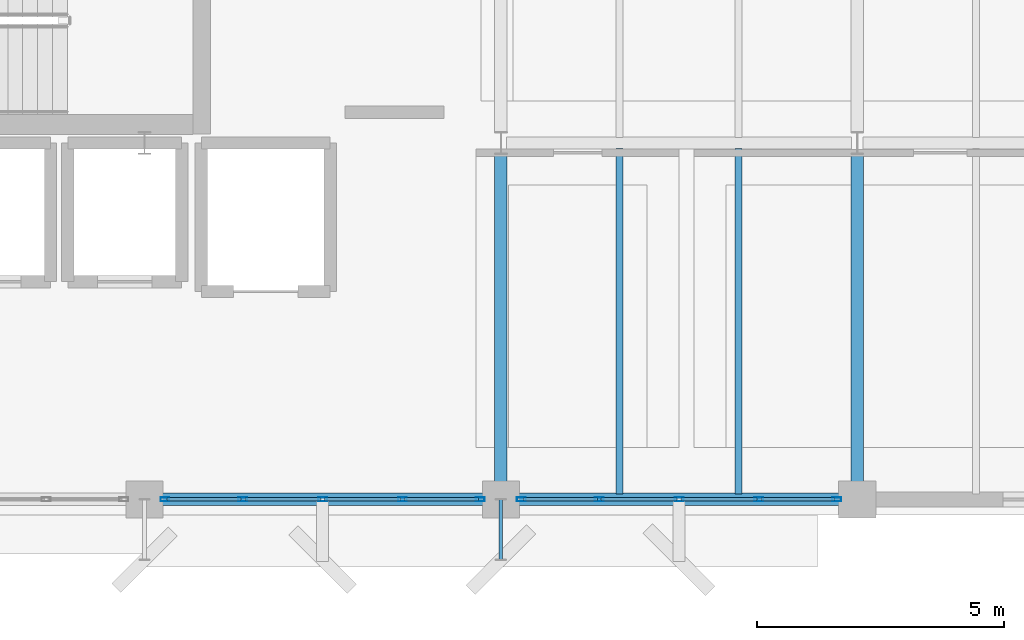
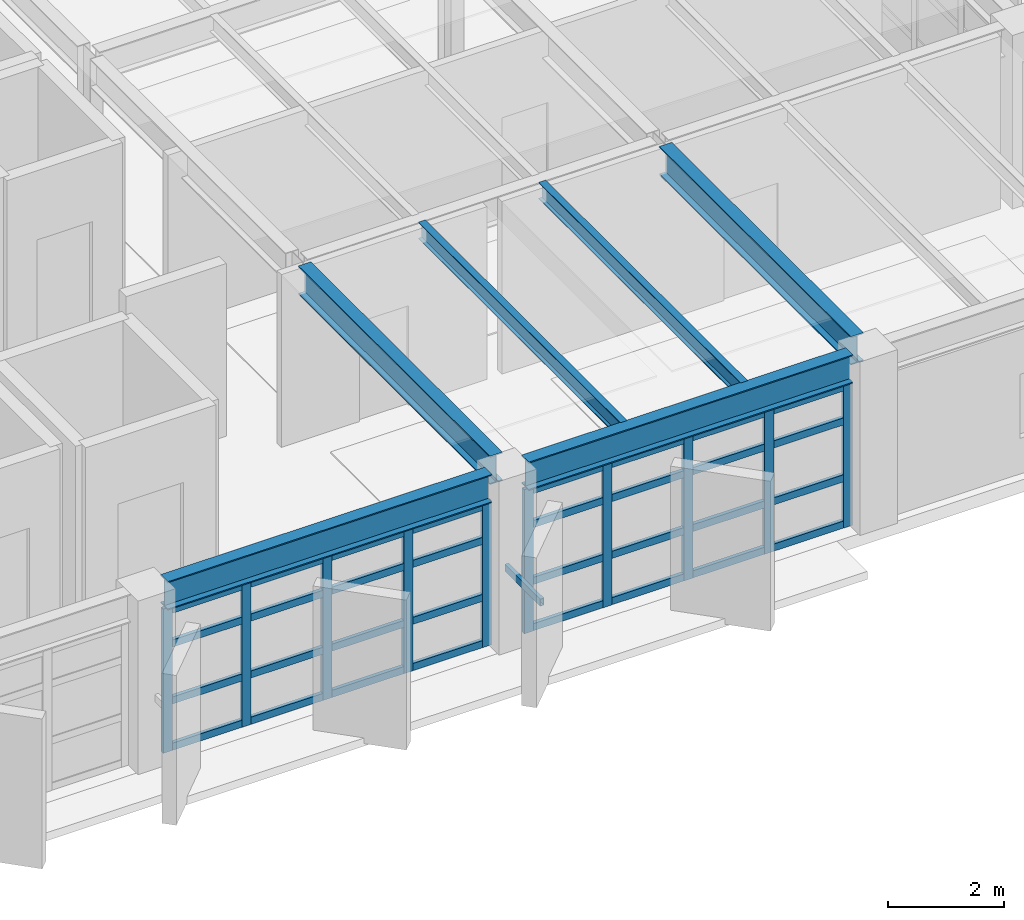
# One storey, part 6 of 32: 43 members, 6 beams, 2 elements without a shape of their own.
"""IFC4 building model written with IfcOpenShell, lengths in metres."""

from ifc_helpers import new_model, si_unit, direction, frame, origin, origin_2d, place, context, subcontext, project, spatial, hollow_rectangle, i_section, extrude, material, layer, layer_set, material_profile, profile_set, type_object, element, aggregate, save


model = new_model("IFC4")

# Units and contexts
model_context = context("Model", 3, precision=1e-05, world=origin(), true_north=direction((0.0, 1.0)))
body_context = subcontext(model_context, "Body", "Model", "MODEL_VIEW")
ifc_project = project(units=[si_unit("LENGTHUNIT", "METRE"), si_unit("AREAUNIT", "SQUARE_METRE"), si_unit("VOLUMEUNIT", "CUBIC_METRE"), si_unit("PLANEANGLEUNIT", "RADIAN"), si_unit("MASSUNIT", "GRAM", prefix="KILO")], contexts=[model_context])

# Site, building, storey
site_placement = place(None, origin())
site = spatial("IfcSite", under=ifc_project, at=site_placement, CompositionType="ELEMENT")
building_placement = place(site_placement, origin())
building = spatial("IfcBuilding", under=site, at=building_placement, Name="Kandorven Conservatory and Botanical Research Centre", CompositionType="ELEMENT")
storey_placement = place(building_placement, frame((0.0, 0.0, 17.10009765625)))
storey = spatial("IfcBuildingStorey", under=building, at=storey_placement, Name="L04", CompositionType="ELEMENT", Elevation=17.10009765625)

# Beams
ifc_material_1 = material(Name="Steel S355 (IS 2062 E350)", Category="steel")
ifc_material_profile_1 = material_profile(ifc_material_1, i_section(OverallWidth=0.25, OverallDepth=0.60009765625, WebThickness=0.01171875, FlangeThickness=0.023681640625, at=origin_2d()))
ifc_profile_set_1 = profile_set([ifc_material_profile_1], Name="Steel S355 (IS 2062 E350)")
beam_type_1 = type_object("IfcBeamType", Name="Beam_FG-01", PredefinedType="USERDEFINED", material=ifc_profile_set_1)
beam_1_placement = place(storey_placement, frame((20.764892578125, 6.0, 3.35986328125), z_axis=(1.0, 0.0, 0.0), x_axis=(0.0, 1.0, 0.0)))
element("IfcBeam", 1, at=beam_1_placement, inside=storey, type_object=beam_type_1, Name="Primary girder FG-01 TWR L04", ObjectType="GIRDER", PredefinedType="USERDEFINED", context=body_context, shape_type="SweptSolid", body=[
    extrude(i_section(OverallWidth=0.25, OverallDepth=0.60009765625, WebThickness=0.01171875, FlangeThickness=0.023681640625, at=origin_2d()), origin(), (0.0, 0.0, 1.0), 6.47021484375),
])
beam_2_placement = place(storey_placement, frame((27.965087890625, 6.0, 3.35986328125), z_axis=(1.0, 0.0, 0.0), x_axis=(0.0, 1.0, 0.0)))
element("IfcBeam", 2, at=beam_2_placement, inside=storey, type_object=beam_type_1, Name="Primary girder FG-01 TWR L04", ObjectType="GIRDER", PredefinedType="USERDEFINED", context=body_context, shape_type="SweptSolid", body=[
    extrude(i_section(OverallWidth=0.25, OverallDepth=0.60009765625, WebThickness=0.01171875, FlangeThickness=0.023681640625, at=origin_2d()), origin(), (0.0, 0.0, 1.0), 6.469970703125),
])
for number, where, z_axis, x_axis, name in (
    (3, (27.60009765625, 6.364990234375, 3.35986328125), (0.0, 1.0, 0.0), (-1.0, 0.0, 0.0), "Primary girder FG-01 TWR L04"),
    (4, (34.800048828125, 6.364990234375, 3.35986328125), (0.0, 1.0, 0.0), (-1.0, 0.0, 0.0), "Primary girder FG-01 TWR L04"),
):
    element("IfcBeam", number, at=place(storey_placement, frame(where, z_axis=z_axis, x_axis=x_axis)), inside=storey, type_object=beam_type_1, Name=name, ObjectType="GIRDER", PredefinedType="USERDEFINED", context=body_context, shape_type="SweptSolid", body=[
        extrude(i_section(OverallWidth=0.25, OverallDepth=0.60009765625, WebThickness=0.01171875, FlangeThickness=0.023681640625, at=origin_2d()), origin(), (0.0, 0.0, 1.0), 6.6201171875),
    ])
ifc_material_2 = material(Name="Steel S355 (IS 2062 E350)", Category="steel")
ifc_material_profile_2 = material_profile(ifc_material_2, i_section(OverallWidth=0.139892578125, OverallDepth=0.35009765625, WebThickness=0.008056640625, FlangeThickness=0.01416015625, at=origin_2d()))
ifc_profile_set_2 = profile_set([ifc_material_profile_2], Name="Steel S355 (IS 2062 E350)")
beam_type_2 = type_object("IfcBeamType", Name="Beam_SB-06", PredefinedType="BEAM", material=ifc_profile_set_2)
for number, where, z_axis, x_axis, name in (
    (5, (30.0, 6.110107421875, 3.48486328125), (0.0, 1.0, 0.0), (-1.0, 0.0, 0.0), "Composite secondary beam SB-06 TWR L04"),
    (6, (32.39990234375, 6.110107421875, 3.48486328125), (0.0, 1.0, 0.0), (-1.0, 0.0, 0.0), "Composite secondary beam SB-06 TWR L04"),
):
    element("IfcBeam", number, at=place(storey_placement, frame(where, z_axis=z_axis, x_axis=x_axis)), inside=storey, type_object=beam_type_2, Name=name, PredefinedType="BEAM", context=body_context, shape_type="SweptSolid", body=[
        extrude(i_section(OverallWidth=0.139892578125, OverallDepth=0.35009765625, WebThickness=0.008056640625, FlangeThickness=0.01416015625, at=origin_2d()), origin(), (0.0, 0.0, 1.0), 6.97998046875),
    ])

# Curtain wall, members
ifc_material_3 = material(Name="Bronze anodised thermally broken aluminium", Category="aluminium")
ifc_layer = layer(ifc_material_3, 0.179931640625)
ifc_layer_set = layer_set([ifc_layer], Name="Bronze anodised thermally broken aluminium")
curtain_wall_type = type_object("IfcCurtainWallType", Name="CW_Unitised", PredefinedType="USERDEFINED", material=ifc_layer_set)
curtain_wall_1_placement = place(storey_placement, origin())
curtain_wall_1 = element("IfcCurtainWall", 7, at=curtain_wall_1_placement, inside=storey, type_object=curtain_wall_type, Name="Tower laboratory curtain wall CW-TWR-S-L04-3", ObjectType="UNITISED GLAZING", PredefinedType="USERDEFINED")
ifc_material_4 = material(Name="Bronze anodised thermally broken aluminium", Category="aluminium")
ifc_material_profile_3 = material_profile(ifc_material_4, hollow_rectangle(XDim=0.080078125, YDim=0.179931640625, WallThickness=0.006103515625, at=origin_2d()))
ifc_profile_set_3 = profile_set([ifc_material_profile_3], Name="Bronze anodised thermally broken aluminium")
member_type_1 = type_object("IfcMemberType", Name="CW_Mullion", PredefinedType="MULLION", material=ifc_profile_set_3)
member_1_placement = place(storey_placement, frame((20.81494140625, 6.0, 0.0), z_axis=(0.0, 0.0, 1.0), x_axis=(0.0, 1.0, 0.0)))
member_1 = element("IfcMember", 8, at=member_1_placement, type_object=member_type_1, Name="CW-01 mullion 1", PredefinedType="MULLION", context=body_context, shape_type="SweptSolid", body=[
    extrude(hollow_rectangle(XDim=0.080078125, YDim=0.179931640625, WallThickness=0.006103515625, at=origin_2d()), origin(), (0.0, 0.0, 1.0), 3.039794921875),
])
member_2_placement = place(storey_placement, frame((22.387451171875, 6.0, 0.0), z_axis=(0.0, 0.0, 1.0), x_axis=(0.0, 1.0, 0.0)))
member_2 = element("IfcMember", 9, at=member_2_placement, type_object=member_type_1, Name="CW-01 mullion 2", PredefinedType="MULLION", context=body_context, shape_type="SweptSolid", body=[
    extrude(hollow_rectangle(XDim=0.080078125, YDim=0.179931640625, WallThickness=0.006103515625, at=origin_2d()), origin(), (0.0, 0.0, 1.0), 3.039794921875),
])
member_3_placement = place(storey_placement, frame((24.0, 6.0, 0.0), z_axis=(0.0, 0.0, 1.0), x_axis=(0.0, 1.0, 0.0)))
member_3 = element("IfcMember", 10, at=member_3_placement, type_object=member_type_1, Name="CW-01 mullion 3", PredefinedType="MULLION", context=body_context, shape_type="SweptSolid", body=[
    extrude(hollow_rectangle(XDim=0.080078125, YDim=0.179931640625, WallThickness=0.006103515625, at=origin_2d()), origin(), (0.0, 0.0, 1.0), 3.039794921875),
])
member_4_placement = place(storey_placement, frame((25.612548828125, 6.0, 0.0), z_axis=(0.0, 0.0, 1.0), x_axis=(0.0, 1.0, 0.0)))
member_4 = element("IfcMember", 11, at=member_4_placement, type_object=member_type_1, Name="CW-01 mullion 4", PredefinedType="MULLION", context=body_context, shape_type="SweptSolid", body=[
    extrude(hollow_rectangle(XDim=0.080078125, YDim=0.179931640625, WallThickness=0.006103515625, at=origin_2d()), origin(), (0.0, 0.0, 1.0), 3.039794921875),
])
member_5_placement = place(storey_placement, frame((27.18505859375, 6.0, 0.0), z_axis=(0.0, 0.0, 1.0), x_axis=(0.0, 1.0, 0.0)))
member_5 = element("IfcMember", 12, at=member_5_placement, type_object=member_type_1, Name="CW-01 mullion 5", PredefinedType="MULLION", context=body_context, shape_type="SweptSolid", body=[
    extrude(hollow_rectangle(XDim=0.080078125, YDim=0.179931640625, WallThickness=0.006103515625, at=origin_2d()), origin(), (0.0, 0.0, 1.0), 3.039794921875),
])

curtain_wall_2_placement = place(storey_placement, origin())
curtain_wall_2 = element("IfcCurtainWall", 13, at=curtain_wall_2_placement, inside=storey, type_object=curtain_wall_type, Name="Tower laboratory curtain wall CW-TWR-S-L04-4", ObjectType="UNITISED GLAZING", PredefinedType="USERDEFINED")
member_6_placement = place(storey_placement, frame((28.014892578125, 6.0, 0.0), z_axis=(0.0, 0.0, 1.0), x_axis=(0.0, 1.0, 0.0)))
member_6 = element("IfcMember", 14, at=member_6_placement, type_object=member_type_1, Name="CW-01 mullion 1", PredefinedType="MULLION", context=body_context, shape_type="SweptSolid", body=[
    extrude(hollow_rectangle(XDim=0.080078125, YDim=0.179931640625, WallThickness=0.006103515625, at=origin_2d()), origin(), (0.0, 0.0, 1.0), 3.039794921875),
])
member_7_placement = place(storey_placement, frame((29.58740234375, 6.0, 0.0), z_axis=(0.0, 0.0, 1.0), x_axis=(0.0, 1.0, 0.0)))
member_7 = element("IfcMember", 15, at=member_7_placement, type_object=member_type_1, Name="CW-01 mullion 2", PredefinedType="MULLION", context=body_context, shape_type="SweptSolid", body=[
    extrude(hollow_rectangle(XDim=0.080078125, YDim=0.179931640625, WallThickness=0.006103515625, at=origin_2d()), origin(), (0.0, 0.0, 1.0), 3.039794921875),
])
member_8_placement = place(storey_placement, frame((31.199951171875, 6.0, 0.0), z_axis=(0.0, 0.0, 1.0), x_axis=(0.0, 1.0, 0.0)))
member_8 = element("IfcMember", 16, at=member_8_placement, type_object=member_type_1, Name="CW-01 mullion 3", PredefinedType="MULLION", context=body_context, shape_type="SweptSolid", body=[
    extrude(hollow_rectangle(XDim=0.080078125, YDim=0.179931640625, WallThickness=0.006103515625, at=origin_2d()), origin(), (0.0, 0.0, 1.0), 3.039794921875),
])
member_9_placement = place(storey_placement, frame((32.8125, 6.0, 0.0), z_axis=(0.0, 0.0, 1.0), x_axis=(0.0, 1.0, 0.0)))
member_9 = element("IfcMember", 17, at=member_9_placement, type_object=member_type_1, Name="CW-01 mullion 4", PredefinedType="MULLION", context=body_context, shape_type="SweptSolid", body=[
    extrude(hollow_rectangle(XDim=0.080078125, YDim=0.179931640625, WallThickness=0.006103515625, at=origin_2d()), origin(), (0.0, 0.0, 1.0), 3.039794921875),
])
member_10_placement = place(storey_placement, frame((34.385009765625, 6.0, 0.0), z_axis=(0.0, 0.0, 1.0), x_axis=(0.0, 1.0, 0.0)))
member_10 = element("IfcMember", 18, at=member_10_placement, type_object=member_type_1, Name="CW-01 mullion 5", PredefinedType="MULLION", context=body_context, shape_type="SweptSolid", body=[
    extrude(hollow_rectangle(XDim=0.080078125, YDim=0.179931640625, WallThickness=0.006103515625, at=origin_2d()), origin(), (0.0, 0.0, 1.0), 3.039794921875),
])

# Member
ifc_material_5 = material(Name="Bronze anodised thermally broken aluminium", Category="aluminium")
ifc_material_profile_4 = material_profile(ifc_material_5, hollow_rectangle(XDim=0.074951171875, YDim=0.14990234375, WallThickness=0.006103515625, at=origin_2d()))
ifc_profile_set_4 = profile_set([ifc_material_profile_4], Name="Bronze anodised thermally broken aluminium")
member_type_2 = type_object("IfcMemberType", Name="CW_Transom", PredefinedType="USERDEFINED", material=ifc_profile_set_4)
member_11_placement = place(storey_placement, frame((20.85498046875, 6.0, 0.074951171875), z_axis=(1.0, 0.0, 0.0), x_axis=(0.0, 1.0, 0.0)))
member_11 = element("IfcMember", 19, at=member_11_placement, type_object=member_type_2, Name="CW-01 transom 1.1", ObjectType="TRANSOM", PredefinedType="USERDEFINED", context=body_context, shape_type="SweptSolid", body=[
    extrude(hollow_rectangle(XDim=0.074951171875, YDim=0.14990234375, WallThickness=0.006103515625, at=origin_2d()), origin(), (0.0, 0.0, 1.0), 1.492431640625),
])

member_12_placement = place(storey_placement, frame((20.85498046875, 6.0, 1.0498046875), z_axis=(1.0, 0.0, 0.0), x_axis=(0.0, 1.0, 0.0)))
member_12 = element("IfcMember", 20, at=member_12_placement, type_object=member_type_2, Name="CW-01 transom 1.2", ObjectType="TRANSOM", PredefinedType="USERDEFINED", context=body_context, shape_type="SweptSolid", body=[
    extrude(hollow_rectangle(XDim=0.074951171875, YDim=0.14990234375, WallThickness=0.006103515625, at=origin_2d()), origin(), (0.0, 0.0, 1.0), 1.492431640625),
])

member_13_placement = place(storey_placement, frame((20.85498046875, 6.0, 2.25), z_axis=(1.0, 0.0, 0.0), x_axis=(0.0, 1.0, 0.0)))
member_13 = element("IfcMember", 21, at=member_13_placement, type_object=member_type_2, Name="CW-01 transom 1.3", ObjectType="TRANSOM", PredefinedType="USERDEFINED", context=body_context, shape_type="SweptSolid", body=[
    extrude(hollow_rectangle(XDim=0.074951171875, YDim=0.14990234375, WallThickness=0.006103515625, at=origin_2d()), origin(), (0.0, 0.0, 1.0), 1.492431640625),
])

member_14_placement = place(storey_placement, frame((20.85498046875, 6.0, 2.96484375), z_axis=(1.0, 0.0, 0.0), x_axis=(0.0, 1.0, 0.0)))
member_14 = element("IfcMember", 22, at=member_14_placement, type_object=member_type_2, Name="CW-01 transom 1.4", ObjectType="TRANSOM", PredefinedType="USERDEFINED", context=body_context, shape_type="SweptSolid", body=[
    extrude(hollow_rectangle(XDim=0.074951171875, YDim=0.14990234375, WallThickness=0.006103515625, at=origin_2d()), origin(), (0.0, 0.0, 1.0), 1.492431640625),
])

member_15_placement = place(storey_placement, frame((22.427490234375, 6.0, 0.074951171875), z_axis=(1.0, 0.0, 0.0), x_axis=(0.0, 1.0, 0.0)))
member_15 = element("IfcMember", 23, at=member_15_placement, type_object=member_type_2, Name="CW-01 transom 2.1", ObjectType="TRANSOM", PredefinedType="USERDEFINED", context=body_context, shape_type="SweptSolid", body=[
    extrude(hollow_rectangle(XDim=0.074951171875, YDim=0.14990234375, WallThickness=0.006103515625, at=origin_2d()), origin(), (0.0, 0.0, 1.0), 1.532470703125),
])

member_16_placement = place(storey_placement, frame((22.427490234375, 6.0, 1.0498046875), z_axis=(1.0, 0.0, 0.0), x_axis=(0.0, 1.0, 0.0)))
member_16 = element("IfcMember", 24, at=member_16_placement, type_object=member_type_2, Name="CW-01 transom 2.2", ObjectType="TRANSOM", PredefinedType="USERDEFINED", context=body_context, shape_type="SweptSolid", body=[
    extrude(hollow_rectangle(XDim=0.074951171875, YDim=0.14990234375, WallThickness=0.006103515625, at=origin_2d()), origin(), (0.0, 0.0, 1.0), 1.532470703125),
])

member_17_placement = place(storey_placement, frame((22.427490234375, 6.0, 2.25), z_axis=(1.0, 0.0, 0.0), x_axis=(0.0, 1.0, 0.0)))
member_17 = element("IfcMember", 25, at=member_17_placement, type_object=member_type_2, Name="CW-01 transom 2.3", ObjectType="TRANSOM", PredefinedType="USERDEFINED", context=body_context, shape_type="SweptSolid", body=[
    extrude(hollow_rectangle(XDim=0.074951171875, YDim=0.14990234375, WallThickness=0.006103515625, at=origin_2d()), origin(), (0.0, 0.0, 1.0), 1.532470703125),
])

member_18_placement = place(storey_placement, frame((22.427490234375, 6.0, 2.96484375), z_axis=(1.0, 0.0, 0.0), x_axis=(0.0, 1.0, 0.0)))
member_18 = element("IfcMember", 26, at=member_18_placement, type_object=member_type_2, Name="CW-01 transom 2.4", ObjectType="TRANSOM", PredefinedType="USERDEFINED", context=body_context, shape_type="SweptSolid", body=[
    extrude(hollow_rectangle(XDim=0.074951171875, YDim=0.14990234375, WallThickness=0.006103515625, at=origin_2d()), origin(), (0.0, 0.0, 1.0), 1.532470703125),
])

member_19_placement = place(storey_placement, frame((24.0400390625, 6.0, 0.074951171875), z_axis=(1.0, 0.0, 0.0), x_axis=(0.0, 1.0, 0.0)))
member_19 = element("IfcMember", 27, at=member_19_placement, type_object=member_type_2, Name="CW-01 transom 3.1", ObjectType="TRANSOM", PredefinedType="USERDEFINED", context=body_context, shape_type="SweptSolid", body=[
    extrude(hollow_rectangle(XDim=0.074951171875, YDim=0.14990234375, WallThickness=0.006103515625, at=origin_2d()), origin(), (0.0, 0.0, 1.0), 1.532470703125),
])

member_20_placement = place(storey_placement, frame((24.0400390625, 6.0, 1.0498046875), z_axis=(1.0, 0.0, 0.0), x_axis=(0.0, 1.0, 0.0)))
member_20 = element("IfcMember", 28, at=member_20_placement, type_object=member_type_2, Name="CW-01 transom 3.2", ObjectType="TRANSOM", PredefinedType="USERDEFINED", context=body_context, shape_type="SweptSolid", body=[
    extrude(hollow_rectangle(XDim=0.074951171875, YDim=0.14990234375, WallThickness=0.006103515625, at=origin_2d()), origin(), (0.0, 0.0, 1.0), 1.532470703125),
])

member_21_placement = place(storey_placement, frame((24.0400390625, 6.0, 2.25), z_axis=(1.0, 0.0, 0.0), x_axis=(0.0, 1.0, 0.0)))
member_21 = element("IfcMember", 29, at=member_21_placement, type_object=member_type_2, Name="CW-01 transom 3.3", ObjectType="TRANSOM", PredefinedType="USERDEFINED", context=body_context, shape_type="SweptSolid", body=[
    extrude(hollow_rectangle(XDim=0.074951171875, YDim=0.14990234375, WallThickness=0.006103515625, at=origin_2d()), origin(), (0.0, 0.0, 1.0), 1.532470703125),
])

member_22_placement = place(storey_placement, frame((24.0400390625, 6.0, 2.96484375), z_axis=(1.0, 0.0, 0.0), x_axis=(0.0, 1.0, 0.0)))
member_22 = element("IfcMember", 30, at=member_22_placement, type_object=member_type_2, Name="CW-01 transom 3.4", ObjectType="TRANSOM", PredefinedType="USERDEFINED", context=body_context, shape_type="SweptSolid", body=[
    extrude(hollow_rectangle(XDim=0.074951171875, YDim=0.14990234375, WallThickness=0.006103515625, at=origin_2d()), origin(), (0.0, 0.0, 1.0), 1.532470703125),
])

member_23_placement = place(storey_placement, frame((25.652587890625, 6.0, 0.074951171875), z_axis=(1.0, 0.0, 0.0), x_axis=(0.0, 1.0, 0.0)))
member_23 = element("IfcMember", 31, at=member_23_placement, type_object=member_type_2, Name="CW-01 transom 4.1", ObjectType="TRANSOM", PredefinedType="USERDEFINED", context=body_context, shape_type="SweptSolid", body=[
    extrude(hollow_rectangle(XDim=0.074951171875, YDim=0.14990234375, WallThickness=0.006103515625, at=origin_2d()), origin(), (0.0, 0.0, 1.0), 1.492431640625),
])

member_24_placement = place(storey_placement, frame((25.652587890625, 6.0, 1.0498046875), z_axis=(1.0, 0.0, 0.0), x_axis=(0.0, 1.0, 0.0)))
member_24 = element("IfcMember", 32, at=member_24_placement, type_object=member_type_2, Name="CW-01 transom 4.2", ObjectType="TRANSOM", PredefinedType="USERDEFINED", context=body_context, shape_type="SweptSolid", body=[
    extrude(hollow_rectangle(XDim=0.074951171875, YDim=0.14990234375, WallThickness=0.006103515625, at=origin_2d()), origin(), (0.0, 0.0, 1.0), 1.492431640625),
])

member_25_placement = place(storey_placement, frame((25.652587890625, 6.0, 2.25), z_axis=(1.0, 0.0, 0.0), x_axis=(0.0, 1.0, 0.0)))
member_25 = element("IfcMember", 33, at=member_25_placement, type_object=member_type_2, Name="CW-01 transom 4.3", ObjectType="TRANSOM", PredefinedType="USERDEFINED", context=body_context, shape_type="SweptSolid", body=[
    extrude(hollow_rectangle(XDim=0.074951171875, YDim=0.14990234375, WallThickness=0.006103515625, at=origin_2d()), origin(), (0.0, 0.0, 1.0), 1.492431640625),
])

member_26_placement = place(storey_placement, frame((25.652587890625, 6.0, 2.96484375), z_axis=(1.0, 0.0, 0.0), x_axis=(0.0, 1.0, 0.0)))
member_26 = element("IfcMember", 34, at=member_26_placement, type_object=member_type_2, Name="CW-01 transom 4.4", ObjectType="TRANSOM", PredefinedType="USERDEFINED", context=body_context, shape_type="SweptSolid", body=[
    extrude(hollow_rectangle(XDim=0.074951171875, YDim=0.14990234375, WallThickness=0.006103515625, at=origin_2d()), origin(), (0.0, 0.0, 1.0), 1.492431640625),
])

aggregate(curtain_wall_1, [member_1, member_2, member_3, member_4, member_5, member_11, member_12, member_13, member_14, member_15, member_16, member_17, member_18, member_19, member_20, member_21, member_22, member_23, member_24, member_25, member_26])

member_27_placement = place(storey_placement, frame((28.054931640625, 6.0, 0.074951171875), z_axis=(1.0, 0.0, 0.0), x_axis=(0.0, 1.0, 0.0)))
member_27 = element("IfcMember", 35, at=member_27_placement, type_object=member_type_2, Name="CW-01 transom 1.1", ObjectType="TRANSOM", PredefinedType="USERDEFINED", context=body_context, shape_type="SweptSolid", body=[
    extrude(hollow_rectangle(XDim=0.074951171875, YDim=0.14990234375, WallThickness=0.006103515625, at=origin_2d()), origin(), (0.0, 0.0, 1.0), 1.49267578125),
])

member_28_placement = place(storey_placement, frame((28.054931640625, 6.0, 1.0498046875), z_axis=(1.0, 0.0, 0.0), x_axis=(0.0, 1.0, 0.0)))
member_28 = element("IfcMember", 36, at=member_28_placement, type_object=member_type_2, Name="CW-01 transom 1.2", ObjectType="TRANSOM", PredefinedType="USERDEFINED", context=body_context, shape_type="SweptSolid", body=[
    extrude(hollow_rectangle(XDim=0.074951171875, YDim=0.14990234375, WallThickness=0.006103515625, at=origin_2d()), origin(), (0.0, 0.0, 1.0), 1.49267578125),
])

member_29_placement = place(storey_placement, frame((28.054931640625, 6.0, 2.25), z_axis=(1.0, 0.0, 0.0), x_axis=(0.0, 1.0, 0.0)))
member_29 = element("IfcMember", 37, at=member_29_placement, type_object=member_type_2, Name="CW-01 transom 1.3", ObjectType="TRANSOM", PredefinedType="USERDEFINED", context=body_context, shape_type="SweptSolid", body=[
    extrude(hollow_rectangle(XDim=0.074951171875, YDim=0.14990234375, WallThickness=0.006103515625, at=origin_2d()), origin(), (0.0, 0.0, 1.0), 1.49267578125),
])

member_30_placement = place(storey_placement, frame((28.054931640625, 6.0, 2.96484375), z_axis=(1.0, 0.0, 0.0), x_axis=(0.0, 1.0, 0.0)))
member_30 = element("IfcMember", 38, at=member_30_placement, type_object=member_type_2, Name="CW-01 transom 1.4", ObjectType="TRANSOM", PredefinedType="USERDEFINED", context=body_context, shape_type="SweptSolid", body=[
    extrude(hollow_rectangle(XDim=0.074951171875, YDim=0.14990234375, WallThickness=0.006103515625, at=origin_2d()), origin(), (0.0, 0.0, 1.0), 1.49267578125),
])

member_31_placement = place(storey_placement, frame((29.62744140625, 6.0, 0.074951171875), z_axis=(1.0, 0.0, 0.0), x_axis=(0.0, 1.0, 0.0)))
member_31 = element("IfcMember", 39, at=member_31_placement, type_object=member_type_2, Name="CW-01 transom 2.1", ObjectType="TRANSOM", PredefinedType="USERDEFINED", context=body_context, shape_type="SweptSolid", body=[
    extrude(hollow_rectangle(XDim=0.074951171875, YDim=0.14990234375, WallThickness=0.006103515625, at=origin_2d()), origin(), (0.0, 0.0, 1.0), 1.532470703125),
])

member_32_placement = place(storey_placement, frame((29.62744140625, 6.0, 1.0498046875), z_axis=(1.0, 0.0, 0.0), x_axis=(0.0, 1.0, 0.0)))
member_32 = element("IfcMember", 40, at=member_32_placement, type_object=member_type_2, Name="CW-01 transom 2.2", ObjectType="TRANSOM", PredefinedType="USERDEFINED", context=body_context, shape_type="SweptSolid", body=[
    extrude(hollow_rectangle(XDim=0.074951171875, YDim=0.14990234375, WallThickness=0.006103515625, at=origin_2d()), origin(), (0.0, 0.0, 1.0), 1.532470703125),
])

member_33_placement = place(storey_placement, frame((29.62744140625, 6.0, 2.25), z_axis=(1.0, 0.0, 0.0), x_axis=(0.0, 1.0, 0.0)))
member_33 = element("IfcMember", 41, at=member_33_placement, type_object=member_type_2, Name="CW-01 transom 2.3", ObjectType="TRANSOM", PredefinedType="USERDEFINED", context=body_context, shape_type="SweptSolid", body=[
    extrude(hollow_rectangle(XDim=0.074951171875, YDim=0.14990234375, WallThickness=0.006103515625, at=origin_2d()), origin(), (0.0, 0.0, 1.0), 1.532470703125),
])

member_34_placement = place(storey_placement, frame((29.62744140625, 6.0, 2.96484375), z_axis=(1.0, 0.0, 0.0), x_axis=(0.0, 1.0, 0.0)))
member_34 = element("IfcMember", 42, at=member_34_placement, type_object=member_type_2, Name="CW-01 transom 2.4", ObjectType="TRANSOM", PredefinedType="USERDEFINED", context=body_context, shape_type="SweptSolid", body=[
    extrude(hollow_rectangle(XDim=0.074951171875, YDim=0.14990234375, WallThickness=0.006103515625, at=origin_2d()), origin(), (0.0, 0.0, 1.0), 1.532470703125),
])

member_35_placement = place(storey_placement, frame((31.239990234375, 6.0, 0.074951171875), z_axis=(1.0, 0.0, 0.0), x_axis=(0.0, 1.0, 0.0)))
member_35 = element("IfcMember", 43, at=member_35_placement, type_object=member_type_2, Name="CW-01 transom 3.1", ObjectType="TRANSOM", PredefinedType="USERDEFINED", context=body_context, shape_type="SweptSolid", body=[
    extrude(hollow_rectangle(XDim=0.074951171875, YDim=0.14990234375, WallThickness=0.006103515625, at=origin_2d()), origin(), (0.0, 0.0, 1.0), 1.532470703125),
])

member_36_placement = place(storey_placement, frame((31.239990234375, 6.0, 1.0498046875), z_axis=(1.0, 0.0, 0.0), x_axis=(0.0, 1.0, 0.0)))
member_36 = element("IfcMember", 44, at=member_36_placement, type_object=member_type_2, Name="CW-01 transom 3.2", ObjectType="TRANSOM", PredefinedType="USERDEFINED", context=body_context, shape_type="SweptSolid", body=[
    extrude(hollow_rectangle(XDim=0.074951171875, YDim=0.14990234375, WallThickness=0.006103515625, at=origin_2d()), origin(), (0.0, 0.0, 1.0), 1.532470703125),
])

member_37_placement = place(storey_placement, frame((31.239990234375, 6.0, 2.25), z_axis=(1.0, 0.0, 0.0), x_axis=(0.0, 1.0, 0.0)))
member_37 = element("IfcMember", 45, at=member_37_placement, type_object=member_type_2, Name="CW-01 transom 3.3", ObjectType="TRANSOM", PredefinedType="USERDEFINED", context=body_context, shape_type="SweptSolid", body=[
    extrude(hollow_rectangle(XDim=0.074951171875, YDim=0.14990234375, WallThickness=0.006103515625, at=origin_2d()), origin(), (0.0, 0.0, 1.0), 1.532470703125),
])

member_38_placement = place(storey_placement, frame((31.239990234375, 6.0, 2.96484375), z_axis=(1.0, 0.0, 0.0), x_axis=(0.0, 1.0, 0.0)))
member_38 = element("IfcMember", 46, at=member_38_placement, type_object=member_type_2, Name="CW-01 transom 3.4", ObjectType="TRANSOM", PredefinedType="USERDEFINED", context=body_context, shape_type="SweptSolid", body=[
    extrude(hollow_rectangle(XDim=0.074951171875, YDim=0.14990234375, WallThickness=0.006103515625, at=origin_2d()), origin(), (0.0, 0.0, 1.0), 1.532470703125),
])

member_39_placement = place(storey_placement, frame((32.8525390625, 6.0, 0.074951171875), z_axis=(1.0, 0.0, 0.0), x_axis=(0.0, 1.0, 0.0)))
member_39 = element("IfcMember", 47, at=member_39_placement, type_object=member_type_2, Name="CW-01 transom 4.1", ObjectType="TRANSOM", PredefinedType="USERDEFINED", context=body_context, shape_type="SweptSolid", body=[
    extrude(hollow_rectangle(XDim=0.074951171875, YDim=0.14990234375, WallThickness=0.006103515625, at=origin_2d()), origin(), (0.0, 0.0, 1.0), 1.492431640625),
])

member_40_placement = place(storey_placement, frame((32.8525390625, 6.0, 1.0498046875), z_axis=(1.0, 0.0, 0.0), x_axis=(0.0, 1.0, 0.0)))
member_40 = element("IfcMember", 48, at=member_40_placement, type_object=member_type_2, Name="CW-01 transom 4.2", ObjectType="TRANSOM", PredefinedType="USERDEFINED", context=body_context, shape_type="SweptSolid", body=[
    extrude(hollow_rectangle(XDim=0.074951171875, YDim=0.14990234375, WallThickness=0.006103515625, at=origin_2d()), origin(), (0.0, 0.0, 1.0), 1.492431640625),
])

member_41_placement = place(storey_placement, frame((32.8525390625, 6.0, 2.25), z_axis=(1.0, 0.0, 0.0), x_axis=(0.0, 1.0, 0.0)))
member_41 = element("IfcMember", 49, at=member_41_placement, type_object=member_type_2, Name="CW-01 transom 4.3", ObjectType="TRANSOM", PredefinedType="USERDEFINED", context=body_context, shape_type="SweptSolid", body=[
    extrude(hollow_rectangle(XDim=0.074951171875, YDim=0.14990234375, WallThickness=0.006103515625, at=origin_2d()), origin(), (0.0, 0.0, 1.0), 1.492431640625),
])

member_42_placement = place(storey_placement, frame((32.8525390625, 6.0, 2.96484375), z_axis=(1.0, 0.0, 0.0), x_axis=(0.0, 1.0, 0.0)))
member_42 = element("IfcMember", 50, at=member_42_placement, type_object=member_type_2, Name="CW-01 transom 4.4", ObjectType="TRANSOM", PredefinedType="USERDEFINED", context=body_context, shape_type="SweptSolid", body=[
    extrude(hollow_rectangle(XDim=0.074951171875, YDim=0.14990234375, WallThickness=0.006103515625, at=origin_2d()), origin(), (0.0, 0.0, 1.0), 1.492431640625),
])

aggregate(curtain_wall_2, [member_6, member_7, member_8, member_9, member_10, member_27, member_28, member_29, member_30, member_31, member_32, member_33, member_34, member_35, member_36, member_37, member_38, member_39, member_40, member_41, member_42])

ifc_material_6 = material(Name="Steel S355 (IS 2062 E350)", Category="steel")
ifc_material_profile_5 = material_profile(ifc_material_6, hollow_rectangle(XDim=0.074951171875, YDim=0.14990234375, WallThickness=0.006103515625, at=origin_2d()))
ifc_profile_set_5 = profile_set([ifc_material_profile_5], Name="Steel S355 (IS 2062 E350)")
member_type_3 = type_object("IfcMemberType", Name="Mem_SF-01", PredefinedType="STRUT", material=ifc_profile_set_5)
member_43_placement = place(storey_placement, frame((27.60009765625, 6.0, 1.5), z_axis=(0.0, -1.0, 0.0), x_axis=(1.0, 0.0, 0.0)))
element("IfcMember", 51, at=member_43_placement, inside=storey, type_object=member_type_3, Name="Solar fin steel outrigger strut SF-01 #35", PredefinedType="STRUT", context=body_context, shape_type="SweptSolid", body=[
    extrude(hollow_rectangle(XDim=0.074951171875, YDim=0.14990234375, WallThickness=0.006103515625, at=origin_2d()), origin(), (0.0, 0.0, 1.0), 1.219970703125),
])

save(model, "model.ifc")
